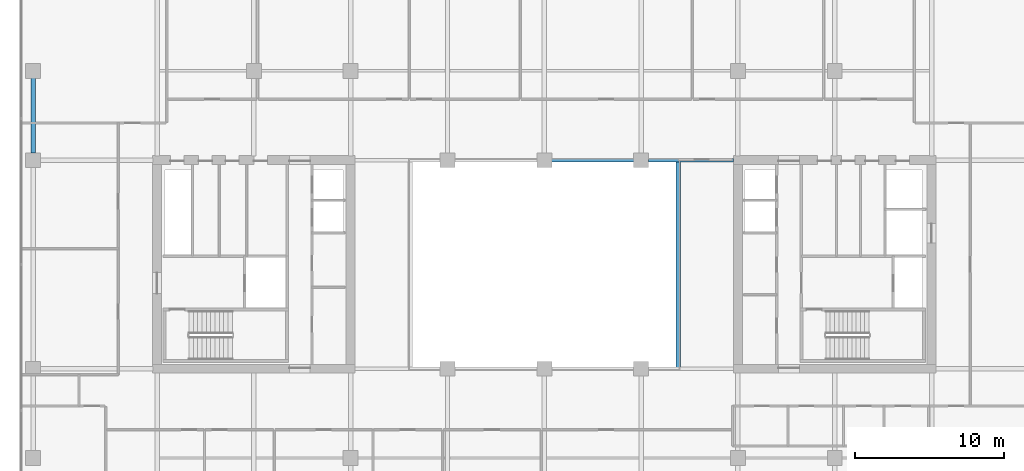
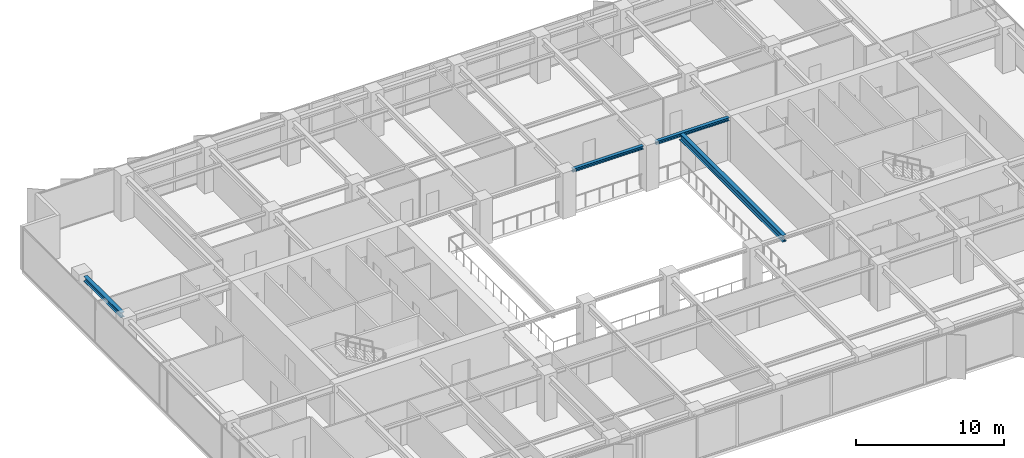
# One storey, part 7 of 22: 4 beams.
"""IFC4 building model written with IfcOpenShell, lengths in metres."""

from ifc_helpers import new_model, si_unit, direction, frame, origin, origin_2d, place, context, subcontext, project, spatial, i_section, extrude, material, material_profile, profile_set, type_object, element, save


model = new_model("IFC4")

# Units and contexts
model_context = context("Model", 3, precision=1e-05, world=origin(), true_north=direction((0.0, 1.0)))
body_context = subcontext(model_context, "Body", "Model", "MODEL_VIEW")
ifc_project = project(units=[si_unit("LENGTHUNIT", "METRE"), si_unit("AREAUNIT", "SQUARE_METRE"), si_unit("VOLUMEUNIT", "CUBIC_METRE"), si_unit("PLANEANGLEUNIT", "RADIAN"), si_unit("MASSUNIT", "GRAM", prefix="KILO")], contexts=[model_context])

# Site, building, storey
site_placement = place(None, origin())
site = spatial("IfcSite", under=ifc_project, at=site_placement, CompositionType="ELEMENT")
building_placement = place(site_placement, origin())
building = spatial("IfcBuilding", under=site, at=building_placement, Name="Putna Gate Headquarters", CompositionType="ELEMENT")
storey_placement = place(building_placement, frame((0.0, 0.0, 178.39990234375)))
storey = spatial("IfcBuildingStorey", under=building, at=storey_placement, Name="L44", CompositionType="ELEMENT", Elevation=178.39990234375)

# Beams
ifc_material = material(Name="Steel S355J2", Category="steel")
ifc_material_profile_1 = material_profile(ifc_material, i_section(OverallWidth=0.260009765625, OverallDepth=0.260009765625, WebThickness=0.010009765625, FlangeThickness=0.017578125, at=origin_2d()), Name="Steel S355J2")
ifc_profile_set_1 = profile_set([ifc_material_profile_1], Name="Steel S355J2")
beam_type_1 = type_object("IfcBeamType", Name="BM-ATRIUM-HEB260", PredefinedType="BEAM", material=ifc_profile_set_1)
beam_1_placement = place(storey_placement, frame((39.488037109375, 33.0, 3.442138671875), z_axis=(1.0, 0.0, 0.0), x_axis=(0.0, 1.0, 0.0)))
element("IfcBeam", 1, at=beam_1_placement, inside=storey, type_object=beam_type_1, Name="L44 Atrium Edge Beam AN3", PredefinedType="BEAM", context=body_context, shape_type="SweptSolid", body=[
    extrude(i_section(OverallWidth=0.260009765625, OverallDepth=0.260009765625, WebThickness=0.010009765625, FlangeThickness=0.017578125, at=origin_2d()), origin(), (0.0, 0.0, 1.0), 5.52392578125),
])
beam_2_placement = place(storey_placement, frame((45.988037109375, 33.0, 3.442138671875), z_axis=(1.0, 0.0, 0.0), x_axis=(0.0, 1.0, 0.0)))
element("IfcBeam", 2, at=beam_2_placement, inside=storey, type_object=beam_type_1, Name="L44 Atrium Edge Beam AN4", PredefinedType="BEAM", context=body_context, shape_type="SweptSolid", body=[
    extrude(i_section(OverallWidth=0.260009765625, OverallDepth=0.260009765625, WebThickness=0.010009765625, FlangeThickness=0.017578125, at=origin_2d()), origin(), (0.0, 0.0, 1.0), 5.72705078125),
])
ifc_material_profile_2 = material_profile(ifc_material, i_section(OverallWidth=0.300048828125, OverallDepth=0.550048828125, WebThickness=0.014892578125, FlangeThickness=0.029052734375, at=origin_2d()), Name="Steel S355J2")
ifc_profile_set_2 = profile_set([ifc_material_profile_2], Name="Steel S355J2")
beam_type_2 = type_object("IfcBeamType", Name="BM-GIRD-Z3-HEB550", PredefinedType="USERDEFINED", material=ifc_profile_set_2)
beam_3_placement = place(storey_placement, frame((48.0, 19.010009765625, 3.297119140625), z_axis=(0.0, 1.0, 0.0), x_axis=(-1.0, 0.0, 0.0)))
element("IfcBeam", 3, at=beam_3_placement, inside=storey, type_object=beam_type_2, Name="L44 Atrium Trim Girder AE", ObjectType="GIRDER", PredefinedType="USERDEFINED", context=body_context, shape_type="SweptSolid", body=[
    extrude(i_section(OverallWidth=0.300048828125, OverallDepth=0.550048828125, WebThickness=0.014892578125, FlangeThickness=0.029052734375, at=origin_2d()), origin(), (0.0, 0.0, 1.0), 13.97998046875),
])
ifc_material_profile_3 = material_profile(ifc_material, i_section(OverallWidth=0.300048828125, OverallDepth=0.39990234375, WebThickness=0.013427734375, FlangeThickness=0.02392578125, at=origin_2d()), Name="Steel S355J2")
ifc_profile_set_3 = profile_set([ifc_material_profile_3], Name="Steel S355J2")
beam_type_3 = type_object("IfcBeamType", Name="BM-SPAN-Z3-HEB400", PredefinedType="SPANDREL", material=ifc_profile_set_3)
beam_4_placement = place(storey_placement, frame((4.679931640625, 33.488037109375, 3.3720703125), z_axis=(0.0, 1.0, 0.0), x_axis=(-1.0, 0.0, 0.0)))
element("IfcBeam", 4, at=beam_4_placement, inside=storey, type_object=beam_type_3, Name="L44 W End Spandrel 3", PredefinedType="SPANDREL", context=body_context, shape_type="SweptSolid", body=[
    extrude(i_section(OverallWidth=0.300048828125, OverallDepth=0.39990234375, WebThickness=0.013427734375, FlangeThickness=0.02392578125, at=origin_2d()), origin(), (0.0, 0.0, 1.0), 5.02392578125),
])

save(model, "model.ifc")
